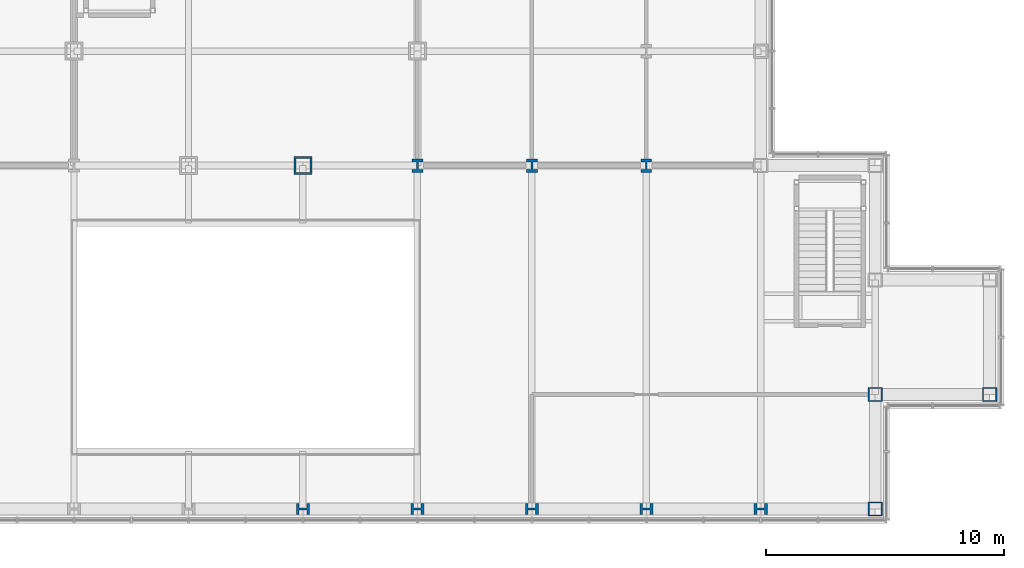
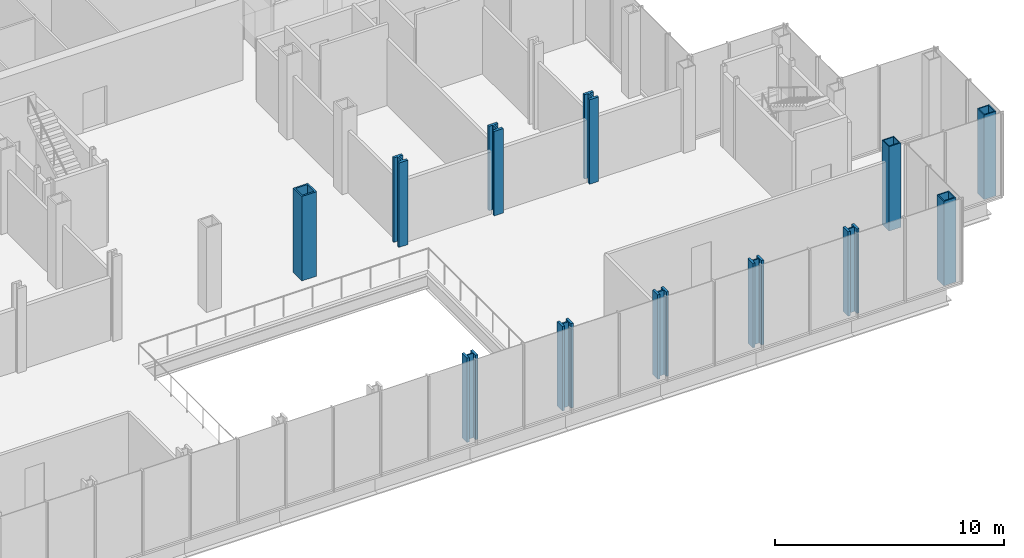
# One storey, part 4 of 25: 12 columns.
"""IFC4 building model written with IfcOpenShell, lengths in metres."""

import ifcopenshell
import ifcopenshell.guid

model = None  # the IFC model being written
_history = None  # IfcOwnerHistory: only IFC2X3 demands one
_inside = {}  # id of a spatial element -> (the spatial element, [elements in it])
_under = {}  # id of a project, library or spatial element -> (it, [spatial elements below it])
_declared = {}  # id of a project -> (the project, [libraries it declares])
_typed = {}  # id of a type object -> (the type object, [elements of that type])
_made_of = {}  # id of a material, layer set ... -> (it, [elements and type objects made of it])


def new_model(schema):
    """Start an empty IFC model of exactly this schema.

    Asked for "IFC4X3", IfcOpenShell would pick the latest addendum, in which some entities
    have other attributes; the version numbers below select the first issue.
    IFC2X3 requires an IfcOwnerHistory on every rooted entity: one is made here for all.
    """
    global model, _history
    if schema == "IFC4X3":
        model = ifcopenshell.file(schema_version=(4, 3, 0, 0))
    else:
        model = ifcopenshell.file(schema=schema)
    _inside.clear()
    _under.clear()
    _declared.clear()
    _typed.clear()
    _made_of.clear()
    _history = None
    if model.schema == "IFC2X3":
        org = make("IfcOrganization", Name="unknown")
        user = make(
            "IfcPersonAndOrganization",
            ThePerson=make("IfcPerson", FamilyName="unknown"),
            TheOrganization=org,
        )
        app = make(
            "IfcApplication",
            ApplicationDeveloper=org,
            Version="unknown",
            ApplicationFullName="unknown",
            ApplicationIdentifier="unknown",
        )
        _history = make(
            "IfcOwnerHistory",
            OwningUser=user,
            OwningApplication=app,
            ChangeAction="ADDED",
            CreationDate=0,
        )
    return model


def make(cls, **values):
    """One entity of the class cls with the attributes given. An attribute that is None is left unset."""
    return model.create_entity(
        cls, **{name: value for name, value in values.items() if value is not None}
    )


def rooted(cls, **values):
    """An entity with a GlobalId (a new one), such as an element, a storey or a relation."""
    return make(cls, GlobalId=ifcopenshell.guid.new(), OwnerHistory=_history, **values)


def si_unit(unit_type, name, prefix=None):
    """IfcSIUnit, for example si_unit("LENGTHUNIT", "METRE", prefix="MILLI")."""
    return make("IfcSIUnit", UnitType=unit_type, Prefix=prefix, Name=name)


def assignment(units):
    """IfcUnitAssignment: the units of a project."""
    return None if units is None else make("IfcUnitAssignment", Units=units)


def point(xyz):
    """IfcCartesianPoint."""
    return None if xyz is None else make("IfcCartesianPoint", Coordinates=xyz)


def direction(xyz):
    """IfcDirection."""
    return None if xyz is None else make("IfcDirection", DirectionRatios=xyz)


def frame(location, z_axis=None, x_axis=None):
    """IfcAxis2Placement3D, a coordinate frame: its origin and axes. An axis left out is left unset."""
    return make(
        "IfcAxis2Placement3D",
        Location=point(location),
        Axis=direction(z_axis),
        RefDirection=direction(x_axis),
    )


def frame_2d(location, x_axis=None):
    """IfcAxis2Placement2D, a coordinate frame in the plane: its origin and x axis."""
    return make(
        "IfcAxis2Placement2D", Location=point(location), RefDirection=direction(x_axis)
    )


def origin():
    """The frame at (0, 0, 0) with its axes left unset."""
    return frame((0.0, 0.0, 0.0))


def origin_2d():
    """The frame at (0, 0) in the plane with its x axis left unset."""
    return frame_2d((0.0, 0.0))


def place(relative_to, where):
    """IfcLocalPlacement: puts the frame where relative to a parent placement (None: the world)."""
    return make(
        "IfcLocalPlacement", PlacementRelTo=relative_to, RelativePlacement=where
    )


def context(
    kind, dimensions, precision=None, world=None, true_north=None, identifier=None
):
    """IfcGeometricRepresentationContext, for example the 3D "Model" context."""
    return make(
        "IfcGeometricRepresentationContext",
        ContextIdentifier=identifier,
        ContextType=kind,
        CoordinateSpaceDimension=dimensions,
        Precision=precision,
        WorldCoordinateSystem=world,
        TrueNorth=true_north,
    )


def subcontext(parent, identifier, kind, view, scale=None):
    """IfcGeometricRepresentationSubContext, for example "Body" below "Model"."""
    return make(
        "IfcGeometricRepresentationSubContext",
        ContextIdentifier=identifier,
        ContextType=kind,
        ParentContext=parent,
        TargetScale=scale,
        TargetView=view,
    )


def project(units=None, contexts=None):
    """IfcProject with its units and contexts."""
    return rooted(
        "IfcProject",
        Name="project",
        RepresentationContexts=contexts,
        UnitsInContext=assignment(units),
    )


def spatial(cls, under=None, at=None, **own):
    """A site, building, storey or space (cls), placed at a placement, below another one or the project."""
    s = rooted(cls, ObjectPlacement=at, **own)
    if under is not None:
        _under.setdefault(under.id(), (under, []))[1].append(s)
    return s


def profile(cls, at=None, kind="AREA", **sizes):
    """A parametric profile (cls). Its sizes go by their IFC names, for example OverallWidth=200.0."""
    return make(cls, ProfileType=kind, Position=at, **sizes)


def hollow_rectangle(**sizes):
    """IfcRectangleHollowProfileDef."""
    return profile("IfcRectangleHollowProfileDef", **sizes)


def i_section(**sizes):
    """IfcIShapeProfileDef."""
    return profile("IfcIShapeProfileDef", **sizes)


def extrude(swept, where, along, depth):
    """IfcExtrudedAreaSolid: the profile swept, set in the frame where, extruded along a direction by depth."""
    return make(
        "IfcExtrudedAreaSolid",
        SweptArea=swept,
        Position=where,
        ExtrudedDirection=direction(along),
        Depth=depth,
    )


def shape(context_of_items, identifier, shape_type, items):
    """IfcShapeRepresentation: the items that make up one representation, for example the "Body"."""
    return make(
        "IfcShapeRepresentation",
        ContextOfItems=context_of_items,
        RepresentationIdentifier=identifier,
        RepresentationType=shape_type,
        Items=items,
    )


def material(Name=None, Category=None):
    """IfcMaterial."""
    return make("IfcMaterial", Name=Name, Category=Category)


def material_profile(
    of_material, cross_section, Name=None, Category=None, Priority=None
):
    """IfcMaterialProfile: a cross section and its material."""
    return make(
        "IfcMaterialProfile",
        Name=Name,
        Material=of_material,
        Profile=cross_section,
        Priority=Priority,
        Category=Category,
    )


def profile_set(profiles, Name=None, composite=None):
    """IfcMaterialProfileSet."""
    return make(
        "IfcMaterialProfileSet",
        Name=Name,
        MaterialProfiles=profiles,
        CompositeProfile=composite,
    )


def made_of(thing, what):
    """Note that an element or type object is made of a material, layer set ...; save() writes the relation."""
    if what is not None:
        _made_of.setdefault(what.id(), (what, []))[1].append(thing)
    return thing


def type_object(cls, material=None, **own):
    """A type object (cls), such as IfcWallType, which elements share."""
    return made_of(rooted(cls, **own), material)


def element(
    cls,
    number,
    at=None,
    inside=None,
    cuts=None,
    type_object=None,
    material=None,
    context=None,
    identifier="Body",
    shape_type=None,
    held_by="IfcProductDefinitionShape",
    body=None,
    shapes=None,
    **own,
):
    """One element of the class cls, such as IfcWall. Its Tag is "e" and its number.

    at: its placement. inside: the storey or other place that contains it. cuts: it is an
    opening in that element (IfcRelVoidsElement). A single representation is given by context,
    identifier, shape_type and body (its items); several are given by shapes. held_by: the class
    of the entity that holds the representations. save() writes the other relations.
    """
    e = rooted(cls, Tag="e%d" % number, ObjectPlacement=at, **own)
    if body is not None:
        shapes = [shape(context, identifier, shape_type, body)]
    if shapes is not None:
        e.Representation = make(held_by, Representations=shapes)
    if inside is not None:
        _inside.setdefault(inside.id(), (inside, []))[1].append(e)
    if cuts is not None:
        rooted(
            "IfcRelVoidsElement", RelatingBuildingElement=cuts, RelatedOpeningElement=e
        )
    if type_object is not None:
        _typed.setdefault(type_object.id(), (type_object, []))[1].append(e)
    return made_of(e, material)


def aggregate(whole, parts):
    """IfcRelAggregates: a whole, such as a stair, and the parts it consists of."""
    return rooted("IfcRelAggregates", RelatingObject=whole, RelatedObjects=parts)


def save(model, path):
    """Write the relations noted so far, then the file.

    IfcRelAggregates (storeys below a building ...), IfcRelContainedInSpatialStructure (elements
    in a storey), IfcRelDefinesByType, IfcRelAssociatesMaterial and IfcRelDeclares: one each for
    every whole, place, type object, material and project.
    """
    for whole, parts in _under.values():
        aggregate(whole, parts)
    for where, things in _inside.values():
        rooted(
            "IfcRelContainedInSpatialStructure",
            RelatedElements=things,
            RelatingStructure=where,
        )
    for kind, things in _typed.values():
        rooted("IfcRelDefinesByType", RelatedObjects=things, RelatingType=kind)
    for what, things in _made_of.values():
        rooted("IfcRelAssociatesMaterial", RelatedObjects=things, RelatingMaterial=what)
    for by, libraries in _declared.values():
        rooted("IfcRelDeclares", RelatingContext=by, RelatedDefinitions=libraries)
    model.write(path)


model = new_model("IFC4")

# Units and contexts
model_context = context("Model", 3, precision=1e-05, world=origin(), true_north=direction((0.0, 1.0)))
body_context = subcontext(model_context, "Body", "Model", "MODEL_VIEW")
ifc_project = project(units=[si_unit("LENGTHUNIT", "METRE"), si_unit("AREAUNIT", "SQUARE_METRE"), si_unit("VOLUMEUNIT", "CUBIC_METRE"), si_unit("PLANEANGLEUNIT", "RADIAN"), si_unit("MASSUNIT", "GRAM", prefix="KILO")], contexts=[model_context])

# Site, building, storey
site_placement = place(None, origin())
site = spatial("IfcSite", under=ifc_project, at=site_placement, CompositionType="ELEMENT")
building_placement = place(site_placement, origin())
building = spatial("IfcBuilding", under=site, at=building_placement, Name="Kvirike Care Tower", CompositionType="ELEMENT")
storey_placement = place(building_placement, frame((0.0, 0.0, 13.5)))
storey = spatial("IfcBuildingStorey", under=building, at=storey_placement, Name="L03", CompositionType="ELEMENT", Elevation=13.5)

# Columns
ifc_material_1 = material(Name="Steel S460", Category="steel")
ifc_material_profile_1 = material_profile(ifc_material_1, hollow_rectangle(XDim=0.60009765625, YDim=0.60009765625, WallThickness=0.050048828125, at=origin_2d()), Name="BX 600x600x50")
ifc_profile_set_1 = profile_set([ifc_material_profile_1], Name="Steel S460")
column_type_1 = type_object("IfcColumnType", Name="COLUMN BX 600x600x50", PredefinedType="COLUMN", material=ifc_profile_set_1)
for number, where, z_axis, x_axis, name in (
    (1, (48.0, 0.0, 0.0), (0.0, 0.0, 1.0), (0.0, 1.0, 0.0), "Column A13 L03"),
    (2, (48.0, 4.800048828125, 0.0), (0.0, 0.0, 1.0), (0.0, 1.0, 0.0), "Column B13 L03"),
    (3, (52.800048828125, 4.800048828125, 0.0), (0.0, 0.0, 1.0), (0.0, 1.0, 0.0), "Column B14 L03"),
):
    element("IfcColumn", number, at=place(storey_placement, frame(where, z_axis=z_axis, x_axis=x_axis)), inside=storey, type_object=column_type_1, Name=name, PredefinedType="COLUMN", context=body_context, shape_type="SweptSolid", body=[
        extrude(hollow_rectangle(XDim=0.60009765625, YDim=0.60009765625, WallThickness=0.050048828125, at=origin_2d()), origin(), (0.0, 0.0, 1.0), 4.5),
    ])
ifc_material_2 = material(Name="Steel S460", Category="steel")
ifc_material_profile_2 = material_profile(ifc_material_2, hollow_rectangle(XDim=0.75, YDim=0.75, WallThickness=0.080078125, at=origin_2d()), Name="BX 750x750x80")
ifc_profile_set_2 = profile_set([ifc_material_profile_2], Name="Steel S460")
column_type_2 = type_object("IfcColumnType", Name="COLUMN BX 750x750x80", PredefinedType="COLUMN", material=ifc_profile_set_2)
column_placement = place(storey_placement, frame((24.0, 14.39990234375, 0.0), z_axis=(0.0, 0.0, 1.0), x_axis=(1.0, 0.0, 0.0)))
element("IfcColumn", 4, at=column_placement, inside=storey, type_object=column_type_2, Name="Column D8 L03", PredefinedType="COLUMN", context=body_context, shape_type="SweptSolid", body=[
    extrude(hollow_rectangle(XDim=0.75, YDim=0.75, WallThickness=0.080078125, at=origin_2d()), origin(), (0.0, 0.0, 1.0), 4.5),
])
ifc_material_3 = material(Name="Steel S460", Category="steel")
ifc_material_profile_3 = material_profile(ifc_material_3, i_section(OverallWidth=0.4541015625, OverallDepth=0.569091796875, WebThickness=0.077880859375, FlangeThickness=0.125, FilletRadius=0.014892578125, at=origin_2d()), Name="HD 400x1086")
ifc_profile_set_3 = profile_set([ifc_material_profile_3], Name="Steel S460")
column_type_3 = type_object("IfcColumnType", Name="COLUMN HD 400x1086", PredefinedType="COLUMN", material=ifc_profile_set_3)
for number, where, z_axis, x_axis, name in (
    (5, (28.800048828125, 14.39990234375, 0.0), (0.0, 0.0, 1.0), (1.0, 0.0, 0.0), "Column D9 L03"),
    (6, (33.60009765625, 14.39990234375, 0.0), (0.0, 0.0, 1.0), (1.0, 0.0, 0.0), "Column D10 L03"),
    (7, (38.39990234375, 14.39990234375, 0.0), (0.0, 0.0, 1.0), (1.0, 0.0, 0.0), "Column D11 L03"),
):
    element("IfcColumn", number, at=place(storey_placement, frame(where, z_axis=z_axis, x_axis=x_axis)), inside=storey, type_object=column_type_3, Name=name, PredefinedType="COLUMN", context=body_context, shape_type="SweptSolid", body=[
        extrude(i_section(OverallWidth=0.4541015625, OverallDepth=0.569091796875, WebThickness=0.077880859375, FlangeThickness=0.125, FilletRadius=0.014892578125, at=origin_2d()), origin(), (0.0, 0.0, 1.0), 4.5),
    ])
ifc_material_4 = material(Name="Steel S460", Category="steel")
ifc_material_profile_4 = material_profile(ifc_material_4, i_section(OverallWidth=0.447998046875, OverallDepth=0.550048828125, WebThickness=0.072021484375, FlangeThickness=0.114990234375, FilletRadius=0.014892578125, at=origin_2d()), Name="HD 400x990")
ifc_profile_set_4 = profile_set([ifc_material_profile_4], Name="Steel S460")
column_type_4 = type_object("IfcColumnType", Name="COLUMN HD 400x990", PredefinedType="COLUMN", material=ifc_profile_set_4)
for number, where, z_axis, x_axis, name in (
    (8, (24.0, 0.0, 0.0), (0.0, 0.0, 1.0), (0.0, 1.0, 0.0), "Column A8 L03"),
    (9, (28.800048828125, 0.0, 0.0), (0.0, 0.0, 1.0), (0.0, 1.0, 0.0), "Column A9 L03"),
    (10, (33.60009765625, 0.0, 0.0), (0.0, 0.0, 1.0), (0.0, 1.0, 0.0), "Column A10 L03"),
    (11, (38.39990234375, 0.0, 0.0), (0.0, 0.0, 1.0), (0.0, 1.0, 0.0), "Column A11 L03"),
    (12, (43.199951171875, 0.0, 0.0), (0.0, 0.0, 1.0), (0.0, 1.0, 0.0), "Column A12 L03"),
):
    element("IfcColumn", number, at=place(storey_placement, frame(where, z_axis=z_axis, x_axis=x_axis)), inside=storey, type_object=column_type_4, Name=name, PredefinedType="COLUMN", context=body_context, shape_type="SweptSolid", body=[
        extrude(i_section(OverallWidth=0.447998046875, OverallDepth=0.550048828125, WebThickness=0.072021484375, FlangeThickness=0.114990234375, FilletRadius=0.014892578125, at=origin_2d()), origin(), (0.0, 0.0, 1.0), 4.5),
    ])

save(model, "model.ifc")
